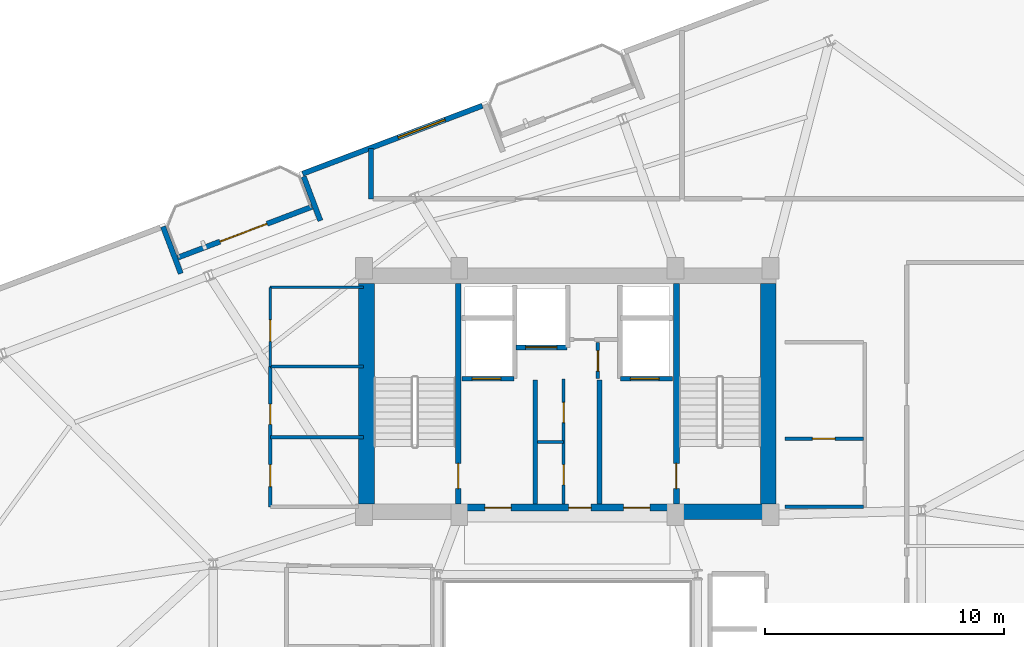
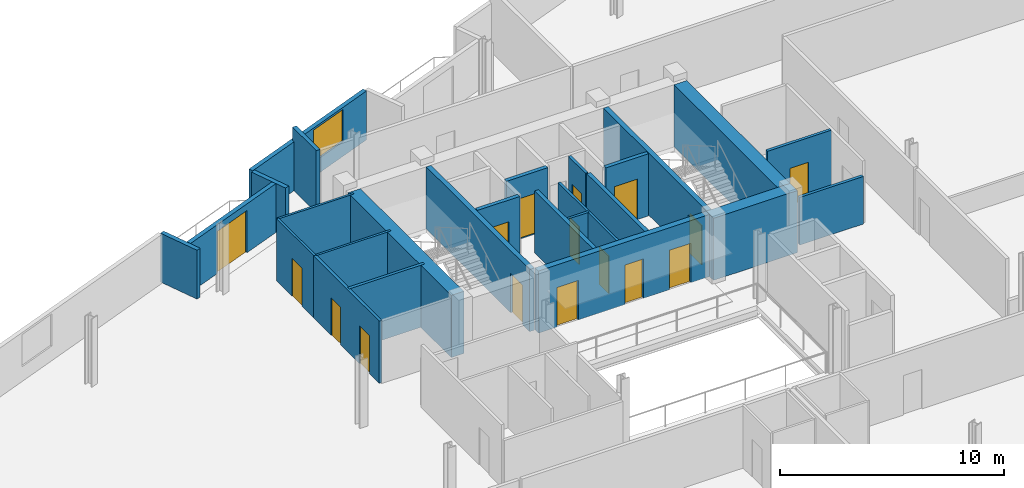
# One storey, part 16 of 19: 26 walls, 16 doors, 1 window, 17 openings.
"""IFC4 building model written with IfcOpenShell, lengths in metres."""

from ifc_helpers import new_model, si_unit, direction, frame, frame_2d, origin, place, context, subcontext, project, spatial, rectangle, extrude, material, layer, layer_set, type_object, element, fill, save


model = new_model("IFC4")

# Units and contexts
model_context = context("Model", 3, precision=1e-05, world=origin(), true_north=direction((0.0, 1.0)))
body_context = subcontext(model_context, "Body", "Model", "MODEL_VIEW")
ifc_project = project(units=[si_unit("LENGTHUNIT", "METRE"), si_unit("AREAUNIT", "SQUARE_METRE"), si_unit("VOLUMEUNIT", "CUBIC_METRE"), si_unit("PLANEANGLEUNIT", "RADIAN"), si_unit("MASSUNIT", "GRAM", prefix="KILO")], contexts=[model_context])

# Site, building, storey
site_placement = place(None, origin())
site = spatial("IfcSite", under=ifc_project, at=site_placement, CompositionType="ELEMENT")
building_placement = place(site_placement, origin())
building = spatial("IfcBuilding", under=site, at=building_placement, Name="Varnelok Gate Tower", CompositionType="ELEMENT")
storey_placement = place(building_placement, frame((0.0, 0.0, 249.699951171875)))
storey = spatial("IfcBuildingStorey", under=building, at=storey_placement, Name="L64", CompositionType="ELEMENT", Elevation=249.699951171875)

# Wall, opening, door
ifc_material_1 = material(Name="Concrete C45/55", Category="concrete")
ifc_layer_1 = layer(ifc_material_1, 0.219970703125)
ifc_layer_set_1 = layer_set([ifc_layer_1], Name="Concrete C45/55")
wall_type_1 = type_object("IfcWallType", Name="EW-BALC-220", PredefinedType="SOLIDWALL", material=ifc_layer_set_1)
wall_1_placement = place(storey_placement, frame((22.915771484375, 39.50439453125, 0.0), z_axis=(0.0, 0.0, 1.0), x_axis=(0.93521416643, 0.354082565101, 0.0)))
wall_1 = element("IfcWall", 1, at=wall_1_placement, inside=storey, type_object=wall_type_1, Name="L64 North Terrace Envelope Wall 3", PredefinedType="SOLIDWALL", context=body_context, shape_type="SweptSolid", body=[
    extrude(rectangle(XDim=6.0, YDim=0.219970703125, at=frame_2d((3.0, 0.0))), origin(), (0.0, 0.0, 1.0), 2.66015625),
])
opening_1_placement = place(wall_1_placement, frame((1.887939453125, 0.0, 0.0)))
opening_1 = element("IfcOpeningElement", 2, at=opening_1_placement, cuts=wall_1, Name="Opening BD-2", PredefinedType="OPENING", context=body_context, shape_type="SweptSolid", body=[
    extrude(rectangle(XDim=2.10009765625, YDim=2.300048828125, at=frame_2d((1.050048828125, 1.14990234375))), frame((0.0, 0.119873046875, 0.0), z_axis=(0.0, -1.0, 0.0), x_axis=(1.0, 0.0, 0.0)), (0.0, 0.0, 1.0), 0.239990234375),
])
ifc_material_2 = material(Name="Anodized Aluminum Alloy 6063-T6", Category="aluminium")
door_type_1 = type_object("IfcDoorType", Name="DR-EXT-SLID2100", OperationType="SLIDING_TO_LEFT", PredefinedType="DOOR", material=ifc_material_2)
door_1_placement = place(opening_1_placement, origin())
door_1 = element("IfcDoor", 3, at=door_1_placement, inside=storey, type_object=door_type_1, Name="L64 North Balcony Glazed Door 3", OperationType="SLIDING_TO_LEFT", OverallHeight=2.300048828125, OverallWidth=2.10009765625, PredefinedType="DOOR", context=body_context, shape_type="SweptSolid", body=[
    extrude(rectangle(XDim=2.10009765625, YDim=2.300048828125, at=frame_2d((1.050048828125, 1.14990234375))), frame((0.0, 0.02490234375, 0.0), z_axis=(0.0, -1.0, 0.0), x_axis=(1.0, 0.0, 0.0)), (0.0, 0.0, 1.0), 0.050048828125),
])
fill(opening_1, door_1)

# Wall, opening, window
wall_2_placement = place(storey_placement, frame((35.647705078125, 45.853515625, 0.0), z_axis=(0.0, 0.0, 1.0), x_axis=(-0.935230796934, -0.354038636968, 0.0)))
wall_2 = element("IfcWall", 4, at=wall_2_placement, inside=storey, type_object=wall_type_1, Name="L64 Perimeter Facade Closure Wall 29", PredefinedType="SOLIDWALL", context=body_context, shape_type="SweptSolid", body=[
    extrude(rectangle(XDim=8.03515625, YDim=0.219970703125, at=frame_2d((4.017578125, 0.0))), origin(), (0.0, 0.0, 1.0), 2.66015625),
])
opening_2_placement = place(wall_2_placement, frame((1.661865234375, 0.0, 0.800048828125)))
opening_2 = element("IfcOpeningElement", 5, at=opening_2_placement, cuts=wall_2, Name="Opening WN4", PredefinedType="OPENING", context=body_context, shape_type="SweptSolid", body=[
    extrude(rectangle(XDim=2.10009765625, YDim=1.75, at=frame_2d((1.050048828125, 0.875))), frame((0.0, 0.119873046875, 0.0), z_axis=(0.0, -1.0, 0.0), x_axis=(1.0, 0.0, 0.0)), (0.0, 0.0, 1.0), 0.239990234375),
])
ifc_material_3 = material(Name="Low-E Laminated Double Glazing IGU", Category="glass")
window_type = type_object("IfcWindowType", Name="WN-SUI-2100", PartitioningType="SINGLE_PANEL", PredefinedType="WINDOW", material=ifc_material_3)
window_placement = place(opening_2_placement, origin())
window = element("IfcWindow", 6, at=window_placement, inside=storey, type_object=window_type, Name="L64 Perimeter Vision Window 29", OverallHeight=1.75, OverallWidth=2.10009765625, PartitioningType="SINGLE_PANEL", PredefinedType="WINDOW", context=body_context, shape_type="SweptSolid", body=[
    extrude(rectangle(XDim=2.10009765625, YDim=1.75, at=frame_2d((1.050048828125, 0.875))), frame((0.0, 0.030029296875, 0.0), z_axis=(0.0, -1.0, 0.0), x_axis=(1.0, 0.0, 0.0)), (0.0, 0.0, 1.0), 0.06005859375),
])
fill(opening_2, window)

# Walls
wall_3_placement = place(storey_placement, frame((28.177490234375, 42.891845703125, 0.0), z_axis=(0.0, 0.0, 1.0), x_axis=(0.354061611705, -0.935222099352, 0.0)))
element("IfcWall", 7, at=wall_3_placement, inside=storey, type_object=wall_type_1, Name="L64 Perimeter Facade Closure Wall 30", PredefinedType="SOLIDWALL", context=body_context, shape_type="SweptSolid", body=[
    extrude(rectangle(XDim=1.974853515625, YDim=0.219970703125, at=frame_2d((0.9873046875, 0.0))), origin(), (0.0, 0.0, 1.0), 2.66015625),
])
wall_4_placement = place(storey_placement, frame((23.041015625, 38.83544921875, 0.0), z_axis=(0.0, 0.0, 1.0), x_axis=(-0.354128469405, 0.935196785258, 0.0)))
element("IfcWall", 8, at=wall_4_placement, inside=storey, type_object=wall_type_1, Name="L64 Perimeter Facade Closure Wall 31", PredefinedType="SOLIDWALL", context=body_context, shape_type="SweptSolid", body=[
    extrude(rectangle(XDim=2.099853515625, YDim=0.219970703125, at=frame_2d((1.0498046875, 0.0))), origin(), (0.0, 0.0, 1.0), 2.66015625),
])
ifc_material_4 = material(Name="Gypsum Plasterboard Acoustic Partition", Category="gypsum")
ifc_layer_2 = layer(ifc_material_4, 0.114990234375)
ifc_layer_set_2 = layer_set([ifc_layer_2], Name="Gypsum Plasterboard Acoustic Partition")
wall_type_2 = type_object("IfcWallType", Name="PW-ENS-125", PredefinedType="PARTITIONING", material=ifc_layer_set_2)
wall_5_placement = place(storey_placement, frame((26.800048828125, 34.949951171875, 0.0), z_axis=(0.0, 0.0, 1.0), x_axis=(1.0, 0.0, 0.0)))
element("IfcWall", 9, at=wall_5_placement, inside=storey, type_object=wall_type_2, Name="Interior Partition", PredefinedType="PARTITIONING", context=body_context, shape_type="SweptSolid", body=[
    extrude(rectangle(XDim=3.8798828125, YDim=0.114990234375, at=frame_2d((1.93994140625, 0.0))), origin(), (0.0, 0.0, 1.0), 3.380126953125),
])
wall_6_placement = place(storey_placement, frame((26.780029296875, 38.260009765625, 0.0), z_axis=(0.0, 0.0, 1.0), x_axis=(1.0, 0.0, 0.0)))
element("IfcWall", 10, at=wall_6_placement, inside=storey, type_object=wall_type_2, Name="Interior Partition", PredefinedType="PARTITIONING", context=body_context, shape_type="SweptSolid", body=[
    extrude(rectangle(XDim=3.89990234375, YDim=0.114990234375, at=frame_2d((1.949951171875, 0.0))), origin(), (0.0, 0.0, 1.0), 3.380126953125),
])

# Wall, opening, door
wall_7_placement = place(storey_placement, frame((26.780029296875, 34.949951171875, 0.0), z_axis=(0.0, 0.0, 1.0), x_axis=(0.0, 1.0, 0.0)))
wall_7 = element("IfcWall", 11, at=wall_7_placement, inside=storey, type_object=wall_type_2, Name="Interior Partition", PredefinedType="PARTITIONING", context=body_context, shape_type="SweptSolid", body=[
    extrude(rectangle(XDim=3.31005859375, YDim=0.114990234375, at=frame_2d((1.655029296875, 0.0))), origin(), (0.0, 0.0, 1.0), 3.380126953125),
])
opening_3_placement = place(wall_7_placement, frame((1.050048828125, 0.0, 0.0)))
opening_3 = element("IfcOpeningElement", 12, at=opening_3_placement, cuts=wall_7, Name="Opening D-WC", PredefinedType="OPENING", context=body_context, shape_type="SweptSolid", body=[
    extrude(rectangle(XDim=0.89990234375, YDim=2.050048828125, at=frame_2d((0.449951171875, 1.02490234375))), frame((0.0, 0.0673828125, 0.0), z_axis=(0.0, -1.0, 0.0), x_axis=(1.0, 0.0, 0.0)), (0.0, 0.0, 1.0), 0.135009765625),
])
ifc_material_5 = material(Name="Engineered Hardwood Timber", Category="wood")
door_type_2 = type_object("IfcDoorType", Name="DR-BATH-900", OperationType="NOTDEFINED", PredefinedType="DOOR", material=ifc_material_5)
door_2_placement = place(opening_3_placement, origin())
door_2 = element("IfcDoor", 13, at=door_2_placement, inside=storey, type_object=door_type_2, Name="L64 Core Staff WC Door", OperationType="SINGLE_SWING_LEFT", OverallHeight=2.050048828125, OverallWidth=0.89990234375, PredefinedType="DOOR", context=body_context, shape_type="SweptSolid", body=[
    extrude(rectangle(XDim=0.89990234375, YDim=2.050048828125, at=frame_2d((0.449951171875, 1.02490234375))), frame((0.0, 0.02490234375, 0.0), z_axis=(0.0, -1.0, 0.0), x_axis=(1.0, 0.0, 0.0)), (0.0, 0.0, 1.0), 0.050048828125),
])
fill(opening_3, door_2)

# Wall
ifc_layer_3 = layer(ifc_material_4, 0.125)
ifc_layer_set_3 = layer_set([ifc_layer_3], Name="Gypsum Plasterboard Acoustic Partition")
wall_type_3 = type_object("IfcWallType", Name="PW-PART-125", PredefinedType="PARTITIONING", material=ifc_layer_set_3)
wall_8_placement = place(storey_placement, frame((37.9599609375, 31.800048828125, 0.0), z_axis=(0.0, 0.0, 1.0), x_axis=(1.0, 0.0, 0.0)))
element("IfcWall", 14, at=wall_8_placement, inside=storey, type_object=wall_type_3, Name="Interior Partition", PredefinedType="PARTITIONING", context=body_context, shape_type="SweptSolid", body=[
    extrude(rectangle(XDim=1.090087890625, YDim=0.125, at=frame_2d((0.544921875, 0.0))), origin(), (0.0, 0.0, 1.0), 3.380126953125),
])

# Wall, openings, doors
wall_9_placement = place(storey_placement, frame((39.050048828125, 29.199951171875, 0.0), z_axis=(0.0, 0.0, 1.0), x_axis=(0.0, 1.0, 0.0)))
wall_9 = element("IfcWall", 15, at=wall_9_placement, inside=storey, type_object=wall_type_3, Name="Interior Partition", PredefinedType="PARTITIONING", context=body_context, shape_type="SweptSolid", body=[
    extrude(rectangle(XDim=5.219970703125, YDim=0.125, at=frame_2d((2.60986328125, 0.0))), origin(), (0.0, 0.0, 1.0), 3.380126953125),
])
opening_4_placement = place(wall_9_placement, frame((0.800048828125, 0.0, 0.0)))
opening_4 = element("IfcOpeningElement", 16, at=opening_4_placement, cuts=wall_9, Name="Opening D-RS", PredefinedType="OPENING", context=body_context, shape_type="SweptSolid", body=[
    extrude(rectangle(XDim=0.85009765625, YDim=2.050048828125, at=frame_2d((0.425048828125, 1.02490234375))), frame((0.0, 0.072509765625, 0.0), z_axis=(0.0, -1.0, 0.0), x_axis=(1.0, 0.0, 0.0)), (0.0, 0.0, 1.0), 0.14501953125),
])
opening_5_placement = place(wall_9_placement, frame((3.39990234375, 0.0, 0.0)))
opening_5 = element("IfcOpeningElement", 17, at=opening_5_placement, cuts=wall_9, Name="Opening D-RS", PredefinedType="OPENING", context=body_context, shape_type="SweptSolid", body=[
    extrude(rectangle(XDim=0.85009765625, YDim=2.050048828125, at=frame_2d((0.425048828125, 1.02490234375))), frame((0.0, 0.072509765625, 0.0), z_axis=(0.0, -1.0, 0.0), x_axis=(1.0, 0.0, 0.0)), (0.0, 0.0, 1.0), 0.14501953125),
])
ifc_material_6 = material(Name="Galvanized Steel Grade S350GD", Category="steel")
door_type_3 = type_object("IfcDoorType", Name="DR-RISER-850", OperationType="NOTDEFINED", PredefinedType="DOOR", material=ifc_material_6)
door_3_placement = place(opening_4_placement, origin())
door_3 = element("IfcDoor", 18, at=door_3_placement, inside=storey, type_object=door_type_3, Name="L64 Housekeeping Linen Door", OperationType="SINGLE_SWING_LEFT", OverallHeight=2.050048828125, OverallWidth=0.85009765625, PredefinedType="DOOR", context=body_context, shape_type="SweptSolid", body=[
    extrude(rectangle(XDim=0.85009765625, YDim=2.050048828125, at=frame_2d((0.425048828125, 1.02490234375))), frame((0.0, 0.02490234375, 0.0), z_axis=(0.0, -1.0, 0.0), x_axis=(1.0, 0.0, 0.0)), (0.0, 0.0, 1.0), 0.050048828125),
])
fill(opening_4, door_3)
door_4_placement = place(opening_5_placement, origin())
door_4 = element("IfcDoor", 19, at=door_4_placement, inside=storey, type_object=door_type_3, Name="L64 Janitor Sink Door", OperationType="SINGLE_SWING_RIGHT", OverallHeight=2.050048828125, OverallWidth=0.85009765625, PredefinedType="DOOR", context=body_context, shape_type="SweptSolid", body=[
    extrude(rectangle(XDim=0.85009765625, YDim=2.050048828125, at=frame_2d((0.425048828125, 1.02490234375))), frame((0.0, 0.02490234375, 0.0), z_axis=(0.0, -1.0, 0.0), x_axis=(1.0, 0.0, 0.0)), (0.0, 0.0, 1.0), 0.050048828125),
])
fill(opening_5, door_4)

# Wall, opening, door
ifc_layer_4 = layer(ifc_material_4, 0.14990234375)
ifc_layer_set_4 = layer_set([ifc_layer_4], Name="Gypsum Plasterboard Acoustic Partition")
wall_type_4 = type_object("IfcWallType", Name="PW-PART-150", PredefinedType="PARTITIONING", material=ifc_layer_set_4)
wall_10_placement = place(storey_placement, frame((40.47998046875, 34.43994140625, 0.0), z_axis=(0.0, 0.0, 1.0), x_axis=(0.0, 1.0, 0.0)))
wall_10 = element("IfcWall", 20, at=wall_10_placement, inside=storey, type_object=wall_type_4, Name="L64 Telecoms Closet West Wall", PredefinedType="PARTITIONING", context=body_context, shape_type="SweptSolid", body=[
    extrude(rectangle(XDim=1.52001953125, YDim=0.14990234375, at=frame_2d((0.760009765625, 0.0))), origin(), (0.0, 0.0, 1.0), 3.380126953125),
])
opening_6_placement = place(wall_10_placement, frame((0.320068359375, 0.0, 0.0)))
opening_6 = element("IfcOpeningElement", 21, at=opening_6_placement, cuts=wall_10, Name="Opening D-RS", PredefinedType="OPENING", context=body_context, shape_type="SweptSolid", body=[
    extrude(rectangle(XDim=0.85009765625, YDim=2.050048828125, at=frame_2d((0.425048828125, 1.02490234375))), frame((0.0, 0.0849609375, 0.0), z_axis=(0.0, -1.0, 0.0), x_axis=(1.0, 0.0, 0.0)), (0.0, 0.0, 1.0), 0.169921875),
])
door_5_placement = place(opening_6_placement, origin())
door_5 = element("IfcDoor", 22, at=door_5_placement, inside=storey, type_object=door_type_3, Name="L64 Telecoms Closet Door", OperationType="SINGLE_SWING_LEFT", OverallHeight=2.050048828125, OverallWidth=0.85009765625, PredefinedType="DOOR", context=body_context, shape_type="SweptSolid", body=[
    extrude(rectangle(XDim=0.85009765625, YDim=2.050048828125, at=frame_2d((0.425048828125, 1.02490234375))), frame((0.0, 0.02490234375, 0.0), z_axis=(0.0, -1.0, 0.0), x_axis=(1.0, 0.0, 0.0)), (0.0, 0.0, 1.0), 0.050048828125),
])
fill(opening_6, door_5)

# Wall
wall_11_placement = place(storey_placement, frame((26.800048828125, 31.989990234375, 0.0), z_axis=(0.0, 0.0, 1.0), x_axis=(1.0, 0.0, 0.0)))
element("IfcWall", 23, at=wall_11_placement, inside=storey, type_object=wall_type_4, Name="Interior Partition", PredefinedType="PARTITIONING", context=body_context, shape_type="SweptSolid", body=[
    extrude(rectangle(XDim=3.8798828125, YDim=0.14990234375, at=frame_2d((1.93994140625, 0.0))), origin(), (0.0, 0.0, 1.0), 3.380126953125),
])

# Wall, openings, doors
wall_12_placement = place(storey_placement, frame((26.780029296875, 29.080078125, 0.0), z_axis=(0.0, 0.0, 1.0), x_axis=(0.0, 1.0, 0.0)))
wall_12 = element("IfcWall", 24, at=wall_12_placement, inside=storey, type_object=wall_type_4, Name="Interior Partition", PredefinedType="PARTITIONING", context=body_context, shape_type="SweptSolid", body=[
    extrude(rectangle(XDim=5.869873046875, YDim=0.14990234375, at=frame_2d((2.93505859375, 0.0))), origin(), (0.0, 0.0, 1.0), 3.380126953125),
])
opening_7_placement = place(wall_12_placement, frame((0.85009765625, 0.0, 0.0)))
opening_7 = element("IfcOpeningElement", 25, at=opening_7_placement, cuts=wall_12, Name="Opening D-I3", PredefinedType="OPENING", context=body_context, shape_type="SweptSolid", body=[
    extrude(rectangle(XDim=0.919921875, YDim=2.050048828125, at=frame_2d((0.4599609375, 1.02490234375))), frame((0.0, 0.0849609375, 0.0), z_axis=(0.0, -1.0, 0.0), x_axis=(1.0, 0.0, 0.0)), (0.0, 0.0, 1.0), 0.169921875),
])
opening_8_placement = place(wall_12_placement, frame((3.449951171875, 0.0, 0.0)))
opening_8 = element("IfcOpeningElement", 26, at=opening_8_placement, cuts=wall_12, Name="Opening D-RS", PredefinedType="OPENING", context=body_context, shape_type="SweptSolid", body=[
    extrude(rectangle(XDim=0.85009765625, YDim=2.050048828125, at=frame_2d((0.425048828125, 1.02490234375))), frame((0.0, 0.0849609375, 0.0), z_axis=(0.0, -1.0, 0.0), x_axis=(1.0, 0.0, 0.0)), (0.0, 0.0, 1.0), 0.169921875),
])
door_type_4 = type_object("IfcDoorType", Name="DR-INT-920", OperationType="NOTDEFINED", PredefinedType="DOOR", material=ifc_material_5)
door_6_placement = place(opening_7_placement, origin())
door_6 = element("IfcDoor", 27, at=door_6_placement, inside=storey, type_object=door_type_4, Name="L64 Core Linen Door", OperationType="SINGLE_SWING_LEFT", OverallHeight=2.050048828125, OverallWidth=0.919921875, PredefinedType="DOOR", context=body_context, shape_type="SweptSolid", body=[
    extrude(rectangle(XDim=0.919921875, YDim=2.050048828125, at=frame_2d((0.4599609375, 1.02490234375))), frame((0.0, 0.02490234375, 0.0), z_axis=(0.0, -1.0, 0.0), x_axis=(1.0, 0.0, 0.0)), (0.0, 0.0, 1.0), 0.050048828125),
])
fill(opening_7, door_6)
door_7_placement = place(opening_8_placement, origin())
door_7 = element("IfcDoor", 28, at=door_7_placement, inside=storey, type_object=door_type_3, Name="L64 Core Janitor Door", OperationType="SINGLE_SWING_RIGHT", OverallHeight=2.050048828125, OverallWidth=0.85009765625, PredefinedType="DOOR", context=body_context, shape_type="SweptSolid", body=[
    extrude(rectangle(XDim=0.85009765625, YDim=2.050048828125, at=frame_2d((0.425048828125, 1.02490234375))), frame((0.0, 0.02490234375, 0.0), z_axis=(0.0, -1.0, 0.0), x_axis=(1.0, 0.0, 0.0)), (0.0, 0.0, 1.0), 0.050048828125),
])
fill(opening_8, door_7)

# Wall, opening, door
wall_13_placement = place(storey_placement, frame((48.300048828125, 31.929931640625, 0.0), z_axis=(0.0, 0.0, 1.0), x_axis=(1.0, 0.0, 0.0)))
wall_13 = element("IfcWall", 29, at=wall_13_placement, inside=storey, type_object=wall_type_4, Name="Interior Partition", PredefinedType="PARTITIONING", context=body_context, shape_type="SweptSolid", body=[
    extrude(rectangle(XDim=3.280029296875, YDim=0.14990234375, at=frame_2d((1.64013671875, 0.0))), origin(), (0.0, 0.0, 1.0), 3.380126953125),
])
opening_9_placement = place(wall_13_placement, frame((1.14990234375, 0.0, 0.0)))
opening_9 = element("IfcOpeningElement", 30, at=opening_9_placement, cuts=wall_13, Name="Opening D-I2", PredefinedType="OPENING", context=body_context, shape_type="SweptSolid", body=[
    extrude(rectangle(XDim=0.949951171875, YDim=2.050048828125, at=frame_2d((0.47509765625, 1.02490234375))), frame((0.0, 0.0849609375, 0.0), z_axis=(0.0, -1.0, 0.0), x_axis=(1.0, 0.0, 0.0)), (0.0, 0.0, 1.0), 0.169921875),
])
door_type_5 = type_object("IfcDoorType", Name="DR-INT-950", OperationType="NOTDEFINED", PredefinedType="DOOR", material=ifc_material_5)
door_8_placement = place(opening_9_placement, origin())
door_8 = element("IfcDoor", 31, at=door_8_placement, inside=storey, type_object=door_type_5, Name="L64 Reclaimed Trunk Storage Door", OperationType="SINGLE_SWING_LEFT", OverallHeight=2.050048828125, OverallWidth=0.949951171875, PredefinedType="DOOR", context=body_context, shape_type="SweptSolid", body=[
    extrude(rectangle(XDim=0.949951171875, YDim=2.050048828125, at=frame_2d((0.47509765625, 1.02490234375))), frame((0.0, 0.02490234375, 0.0), z_axis=(0.0, -1.0, 0.0), x_axis=(1.0, 0.0, 0.0)), (0.0, 0.0, 1.0), 0.050048828125),
])
fill(opening_9, door_8)

# Walls
wall_14_placement = place(storey_placement, frame((48.300048828125, 29.080078125, 0.0), z_axis=(0.0, 0.0, 1.0), x_axis=(1.0, 0.0, 0.0)))
element("IfcWall", 32, at=wall_14_placement, inside=storey, type_object=wall_type_4, Name="Interior Partition", PredefinedType="PARTITIONING", context=body_context, shape_type="SweptSolid", body=[
    extrude(rectangle(XDim=3.280029296875, YDim=0.14990234375, at=frame_2d((1.64013671875, 0.0))), origin(), (0.0, 0.0, 1.0), 2.592041015625),
])
ifc_layer_5 = layer(ifc_material_4, 0.205078125)
ifc_layer_set_5 = layer_set([ifc_layer_5], Name="Gypsum Plasterboard Acoustic Partition")
wall_type_5 = type_object("IfcWallType", Name="PW-PARTY-200", PredefinedType="PARTITIONING", material=ifc_layer_set_5)
wall_15_placement = place(storey_placement, frame((31.0, 41.9599609375, 0.0), z_axis=(0.0, 0.0, 1.0), x_axis=(0.0, 1.0, 0.0)))
element("IfcWall", 33, at=wall_15_placement, inside=storey, type_object=wall_type_5, Name="L64 North Party Wall 1", PredefinedType="PARTITIONING", context=body_context, shape_type="SweptSolid", body=[
    extrude(rectangle(XDim=2.11279296875, YDim=0.205078125, at=frame_2d((1.056396484375, 0.0))), origin(), (0.0, 0.0, 1.0), 3.380126953125),
])
ifc_material_7 = material(Name="Concrete C35/45", Category="concrete")
ifc_layer_6 = layer(ifc_material_7, 0.199951171875)
ifc_layer_set_6 = layer_set([ifc_layer_6], Name="Concrete C35/45")
wall_type_6 = type_object("IfcWallType", Name="PW-SHAFT-200", PredefinedType="PARTITIONING", material=ifc_layer_set_6)
for number, where, z_axis, x_axis, name in (
    (34, (37.860107421875, 29.199951171875, 0.0), (0.0, 0.0, 1.0), (0.0, 1.0, 0.0), "L64 West FF Lobby Rated Wall"),
    (35, (40.5400390625, 29.199951171875, 0.0), (0.0, 0.0, 1.0), (0.0, 1.0, 0.0), "L64 East FF Lobby Rated Wall"),
):
    element("IfcWall", number, at=place(storey_placement, frame(where, z_axis=z_axis, x_axis=x_axis)), inside=storey, type_object=wall_type_6, Name=name, PredefinedType="PARTITIONING", context=body_context, shape_type="SweptSolid", body=[
        extrude(rectangle(XDim=5.179931640625, YDim=0.199951171875, at=frame_2d((2.58984375, 0.0))), origin(), (0.0, 0.0, 1.0), 3.380126953125),
    ])

# Wall, opening, door
wall_16_placement = place(storey_placement, frame((34.800048828125, 34.43994140625, 0.0), z_axis=(0.0, 0.0, 1.0), x_axis=(1.0, 0.0, 0.0)))
wall_16 = element("IfcWall", 36, at=wall_16_placement, inside=storey, type_object=wall_type_6, Name="L64 FF1 Shaft Front Wall", PredefinedType="PARTITIONING", context=body_context, shape_type="SweptSolid", body=[
    extrude(rectangle(XDim=2.179931640625, YDim=0.199951171875, at=frame_2d((1.08984375, 0.0))), origin(), (0.0, 0.0, 1.0), 3.380126953125),
])
opening_10_placement = place(wall_16_placement, frame((0.419921875, 0.0, 0.0)))
opening_10 = element("IfcOpeningElement", 37, at=opening_10_placement, cuts=wall_16, Name="Opening LD-FF1", PredefinedType="OPENING", context=body_context, shape_type="SweptSolid", body=[
    extrude(rectangle(XDim=1.199951171875, YDim=2.199951171875, at=frame_2d((0.60009765625, 1.10009765625))), frame((0.0, 0.10986328125, 0.0), z_axis=(0.0, -1.0, 0.0), x_axis=(1.0, 0.0, 0.0)), (0.0, 0.0, 1.0), 0.219970703125),
])
door_type_6 = type_object("IfcDoorType", Name="DR-LIFT-FF1200", OperationType="SLIDING_TO_LEFT", PredefinedType="DOOR", material=ifc_material_6)
door_9_placement = place(opening_10_placement, origin())
door_9 = element("IfcDoor", 38, at=door_9_placement, inside=storey, type_object=door_type_6, Name="L64 Firefighting Lift Landing Door LD-FF1", OperationType="SLIDING_TO_LEFT", OverallHeight=2.199951171875, OverallWidth=1.199951171875, PredefinedType="DOOR", context=body_context, shape_type="SweptSolid", body=[
    extrude(rectangle(XDim=1.199951171875, YDim=2.199951171875, at=frame_2d((0.60009765625, 1.10009765625))), frame((0.0, 0.02490234375, 0.0), z_axis=(0.0, -1.0, 0.0), x_axis=(1.0, 0.0, 0.0)), (0.0, 0.0, 1.0), 0.050048828125),
])
fill(opening_10, door_9)

wall_17_placement = place(storey_placement, frame((41.419921875, 34.43994140625, 0.0), z_axis=(0.0, 0.0, 1.0), x_axis=(1.0, 0.0, 0.0)))
wall_17 = element("IfcWall", 39, at=wall_17_placement, inside=storey, type_object=wall_type_6, Name="L64 FF2 Shaft Front Wall", PredefinedType="PARTITIONING", context=body_context, shape_type="SweptSolid", body=[
    extrude(rectangle(XDim=2.18017578125, YDim=0.199951171875, at=frame_2d((1.090087890625, 0.0))), origin(), (0.0, 0.0, 1.0), 3.380126953125),
])
opening_11_placement = place(wall_17_placement, frame((0.419921875, 0.0, 0.0)))
opening_11 = element("IfcOpeningElement", 40, at=opening_11_placement, cuts=wall_17, Name="Opening LD-FF2", PredefinedType="OPENING", context=body_context, shape_type="SweptSolid", body=[
    extrude(rectangle(XDim=1.199951171875, YDim=2.199951171875, at=frame_2d((0.60009765625, 1.10009765625))), frame((0.0, 0.10986328125, 0.0), z_axis=(0.0, -1.0, 0.0), x_axis=(1.0, 0.0, 0.0)), (0.0, 0.0, 1.0), 0.219970703125),
])
door_10_placement = place(opening_11_placement, origin())
door_10 = element("IfcDoor", 41, at=door_10_placement, inside=storey, type_object=door_type_6, Name="L64 Firefighting Lift Landing Door LD-FF2", OperationType="SLIDING_TO_LEFT", OverallHeight=2.199951171875, OverallWidth=1.199951171875, PredefinedType="DOOR", context=body_context, shape_type="SweptSolid", body=[
    extrude(rectangle(XDim=1.199951171875, YDim=2.199951171875, at=frame_2d((0.60009765625, 1.10009765625))), frame((0.0, 0.02490234375, 0.0), z_axis=(0.0, -1.0, 0.0), x_axis=(1.0, 0.0, 0.0)), (0.0, 0.0, 1.0), 0.050048828125),
])
fill(opening_11, door_10)

wall_18_placement = place(storey_placement, frame((37.06005859375, 35.75, 0.0), z_axis=(0.0, 0.0, 1.0), x_axis=(1.0, 0.0, 0.0)))
wall_18 = element("IfcWall", 42, at=wall_18_placement, inside=storey, type_object=wall_type_6, Name="L64 SV1 Shaft Front Wall", PredefinedType="PARTITIONING", context=body_context, shape_type="SweptSolid", body=[
    extrude(rectangle(XDim=2.119873046875, YDim=0.199951171875, at=frame_2d((1.06005859375, 0.0))), origin(), (0.0, 0.0, 1.0), 3.380126953125),
])
opening_12_placement = place(wall_18_placement, frame((0.39990234375, 0.0, 0.0)))
opening_12 = element("IfcOpeningElement", 43, at=opening_12_placement, cuts=wall_18, Name="Opening LD-SV1", PredefinedType="OPENING", context=body_context, shape_type="SweptSolid", body=[
    extrude(rectangle(XDim=1.300048828125, YDim=2.199951171875, at=frame_2d((0.64990234375, 1.10009765625))), frame((0.0, 0.10986328125, 0.0), z_axis=(0.0, -1.0, 0.0), x_axis=(1.0, 0.0, 0.0)), (0.0, 0.0, 1.0), 0.219970703125),
])
door_type_7 = type_object("IfcDoorType", Name="DR-LIFT-SV1300", OperationType="SLIDING_TO_LEFT", PredefinedType="DOOR", material=ifc_material_6)
door_11_placement = place(opening_12_placement, origin())
door_11 = element("IfcDoor", 44, at=door_11_placement, inside=storey, type_object=door_type_7, Name="L64 Service Lift Landing Door LD-SV1", OperationType="SLIDING_TO_LEFT", OverallHeight=2.199951171875, OverallWidth=1.300048828125, PredefinedType="DOOR", context=body_context, shape_type="SweptSolid", body=[
    extrude(rectangle(XDim=1.300048828125, YDim=2.199951171875, at=frame_2d((0.64990234375, 1.10009765625))), frame((0.0, 0.02490234375, 0.0), z_axis=(0.0, -1.0, 0.0), x_axis=(1.0, 0.0, 0.0)), (0.0, 0.0, 1.0), 0.050048828125),
])
fill(opening_12, door_11)

# Walls
ifc_material_8 = material(Name="Concrete C60/75", Category="concrete")
ifc_layer_7 = layer(ifc_material_8, 0.64990234375)
ifc_layer_set_7 = layer_set([ifc_layer_7], Name="Concrete C60/75")
wall_type_7 = type_object("IfcWallType", Name="SW-CORE-650", PredefinedType="SHEAR", material=ifc_layer_set_7)
for number, where, z_axis, x_axis, name in (
    (45, (30.804931640625, 29.199951171875, 0.0), (0.0, 0.0, 1.0), (0.0, 1.0, 0.0), "L64 Rear Core West Shear Wall"),
    (46, (47.594970703125, 29.199951171875, 0.0), (0.0, 0.0, 1.0), (0.0, 1.0, 0.0), "L64 Rear Core East Shear Wall"),
):
    element("IfcWall", number, at=place(storey_placement, frame(where, z_axis=z_axis, x_axis=x_axis)), inside=storey, type_object=wall_type_7, Name=name, PredefinedType="SHEAR", context=body_context, shape_type="SweptSolid", body=[
        extrude(rectangle(XDim=9.219970703125, YDim=0.64990234375, at=frame_2d((4.60986328125, 0.0))), origin(), (0.0, 0.0, 1.0), 3.380126953125),
    ])
wall_19_placement = place(storey_placement, frame((43.60009765625, 28.875, 0.0), z_axis=(0.0, 0.0, 1.0), x_axis=(1.0, 0.0, 0.0)))
element("IfcWall", 47, at=wall_19_placement, inside=storey, type_object=wall_type_7, Name="L64 Rear Core South-East Shear Wall", PredefinedType="SHEAR", context=body_context, shape_type="SweptSolid", body=[
    extrude(rectangle(XDim=4.31982421875, YDim=0.64990234375, at=frame_2d((2.159912109375, 0.0))), origin(), (0.0, 0.0, 1.0), 3.380126953125),
])

# Wall, opening, door
ifc_layer_8 = layer(ifc_material_8, 0.25)
ifc_layer_set_8 = layer_set([ifc_layer_8], Name="Concrete C60/75")
wall_type_8 = type_object("IfcWallType", Name="SW-SHAFT-250", PredefinedType="SHEAR", material=ifc_layer_set_8)
wall_20_placement = place(storey_placement, frame((34.639892578125, 29.199951171875, 0.0), z_axis=(0.0, 0.0, 1.0), x_axis=(0.0, 1.0, 0.0)))
wall_20 = element("IfcWall", 48, at=wall_20_placement, inside=storey, type_object=wall_type_8, Name="L64 Stair ST-1 East Shear Wall", PredefinedType="SHEAR", context=body_context, shape_type="SweptSolid", body=[
    extrude(rectangle(XDim=9.219970703125, YDim=0.25, at=frame_2d((4.60986328125, 0.0))), origin(), (0.0, 0.0, 1.0), 3.380126953125),
])
opening_13_placement = place(wall_20_placement, frame((0.64990234375, 0.0, 0.0)))
opening_13 = element("IfcOpeningElement", 49, at=opening_13_placement, cuts=wall_20, Name="Opening D-ST", PredefinedType="OPENING", context=body_context, shape_type="SweptSolid", body=[
    extrude(rectangle(XDim=1.050048828125, YDim=2.14990234375, at=frame_2d((0.52490234375, 1.074951171875))), frame((0.0, 0.135009765625, 0.0), z_axis=(0.0, -1.0, 0.0), x_axis=(1.0, 0.0, 0.0)), (0.0, 0.0, 1.0), 0.27001953125),
])
door_type_8 = type_object("IfcDoorType", Name="DR-STAIR-1050", OperationType="NOTDEFINED", PredefinedType="DOOR", material=ifc_material_6)
door_12_placement = place(opening_13_placement, origin())
door_12 = element("IfcDoor", 50, at=door_12_placement, inside=storey, type_object=door_type_8, Name="L64 Exit Stair ST-1 Fire Door", OperationType="SINGLE_SWING_LEFT", OverallHeight=2.14990234375, OverallWidth=1.050048828125, PredefinedType="DOOR", context=body_context, shape_type="SweptSolid", body=[
    extrude(rectangle(XDim=1.050048828125, YDim=2.14990234375, at=frame_2d((0.52490234375, 1.074951171875))), frame((0.0, 0.02490234375, 0.0), z_axis=(0.0, -1.0, 0.0), x_axis=(1.0, 0.0, 0.0)), (0.0, 0.0, 1.0), 0.050048828125),
])
fill(opening_13, door_12)

wall_21_placement = place(storey_placement, frame((43.760009765625, 29.199951171875, 0.0), z_axis=(0.0, 0.0, 1.0), x_axis=(0.0, 1.0, 0.0)))
wall_21 = element("IfcWall", 51, at=wall_21_placement, inside=storey, type_object=wall_type_8, Name="L64 Stair ST-2 West Shear Wall", PredefinedType="SHEAR", context=body_context, shape_type="SweptSolid", body=[
    extrude(rectangle(XDim=9.219970703125, YDim=0.25, at=frame_2d((4.60986328125, 0.0))), origin(), (0.0, 0.0, 1.0), 3.380126953125),
])
opening_14_placement = place(wall_21_placement, frame((0.64990234375, 0.0, 0.0)))
opening_14 = element("IfcOpeningElement", 52, at=opening_14_placement, cuts=wall_21, Name="Opening D-ST", PredefinedType="OPENING", context=body_context, shape_type="SweptSolid", body=[
    extrude(rectangle(XDim=1.050048828125, YDim=2.14990234375, at=frame_2d((0.52490234375, 1.074951171875))), frame((0.0, 0.135009765625, 0.0), z_axis=(0.0, -1.0, 0.0), x_axis=(1.0, 0.0, 0.0)), (0.0, 0.0, 1.0), 0.27001953125),
])
door_13_placement = place(opening_14_placement, origin())
door_13 = element("IfcDoor", 53, at=door_13_placement, inside=storey, type_object=door_type_8, Name="L64 Exit Stair ST-2 Fire Door", OperationType="SINGLE_SWING_RIGHT", OverallHeight=2.14990234375, OverallWidth=1.050048828125, PredefinedType="DOOR", context=body_context, shape_type="SweptSolid", body=[
    extrude(rectangle(XDim=1.050048828125, YDim=2.14990234375, at=frame_2d((0.52490234375, 1.074951171875))), frame((0.0, 0.02490234375, 0.0), z_axis=(0.0, -1.0, 0.0), x_axis=(1.0, 0.0, 0.0)), (0.0, 0.0, 1.0), 0.050048828125),
])
fill(opening_14, door_13)

# Wall, openings, doors
ifc_layer_9 = layer(ifc_material_8, 0.300048828125)
ifc_layer_set_9 = layer_set([ifc_layer_9], Name="Concrete C60/75")
wall_type_9 = type_object("IfcWallType", Name="SW-SHAFT-300", PredefinedType="SHEAR", material=ifc_layer_set_9)
wall_22_placement = place(storey_placement, frame((34.800048828125, 29.050048828125, 0.0), z_axis=(0.0, 0.0, 1.0), x_axis=(1.0, 0.0, 0.0)))
wall_22 = element("IfcWall", 54, at=wall_22_placement, inside=storey, type_object=wall_type_9, Name="L64 Rear Core Central Lobby Shear Wall", PredefinedType="SHEAR", context=body_context, shape_type="SweptSolid", body=[
    extrude(rectangle(XDim=8.800048828125, YDim=0.300048828125, at=frame_2d((4.39990234375, 0.0))), origin(), (0.0, 0.0, 1.0), 3.380126953125),
])
opening_15_placement = place(wall_22_placement, frame((0.949951171875, 0.0, 0.0)))
opening_15 = element("IfcOpeningElement", 55, at=opening_15_placement, cuts=wall_22, Name="Opening D-FF", PredefinedType="OPENING", context=body_context, shape_type="SweptSolid", body=[
    extrude(rectangle(XDim=1.10009765625, YDim=2.14990234375, at=frame_2d((0.550048828125, 1.074951171875))), frame((0.0, 0.159912109375, 0.0), z_axis=(0.0, -1.0, 0.0), x_axis=(1.0, 0.0, 0.0)), (0.0, 0.0, 1.0), 0.320068359375),
])
opening_16_placement = place(wall_22_placement, frame((6.75, 0.0, 0.0)))
opening_16 = element("IfcOpeningElement", 56, at=opening_16_placement, cuts=wall_22, Name="Opening D-FF", PredefinedType="OPENING", context=body_context, shape_type="SweptSolid", body=[
    extrude(rectangle(XDim=1.10009765625, YDim=2.14990234375, at=frame_2d((0.550048828125, 1.074951171875))), frame((0.0, 0.159912109375, 0.0), z_axis=(0.0, -1.0, 0.0), x_axis=(1.0, 0.0, 0.0)), (0.0, 0.0, 1.0), 0.320068359375),
])
opening_17_placement = place(wall_22_placement, frame((4.449951171875, 0.0, 0.0)))
opening_17 = element("IfcOpeningElement", 57, at=opening_17_placement, cuts=wall_22, Name="Opening D-CR", PredefinedType="OPENING", context=body_context, shape_type="SweptSolid", body=[
    extrude(rectangle(XDim=0.949951171875, YDim=2.14990234375, at=frame_2d((0.47509765625, 1.074951171875))), frame((0.0, 0.159912109375, 0.0), z_axis=(0.0, -1.0, 0.0), x_axis=(1.0, 0.0, 0.0)), (0.0, 0.0, 1.0), 0.320068359375),
])
door_type_9 = type_object("IfcDoorType", Name="DR-CORR-950", OperationType="NOTDEFINED", PredefinedType="DOOR", material=ifc_material_6)
door_14_placement = place(opening_17_placement, origin())
door_14 = element("IfcDoor", 58, at=door_14_placement, inside=storey, type_object=door_type_9, Name="L64 Core Service Passage Door", OperationType="SINGLE_SWING_LEFT", OverallHeight=2.14990234375, OverallWidth=0.949951171875, PredefinedType="DOOR", context=body_context, shape_type="SweptSolid", body=[
    extrude(rectangle(XDim=0.949951171875, YDim=2.14990234375, at=frame_2d((0.47509765625, 1.074951171875))), frame((0.0, 0.02490234375, 0.0), z_axis=(0.0, -1.0, 0.0), x_axis=(1.0, 0.0, 0.0)), (0.0, 0.0, 1.0), 0.050048828125),
])
fill(opening_17, door_14)
door_type_10 = type_object("IfcDoorType", Name="DR-FFLOB-1100", OperationType="NOTDEFINED", PredefinedType="DOOR", material=ifc_material_6)
door_15_placement = place(opening_15_placement, origin())
door_15 = element("IfcDoor", 59, at=door_15_placement, inside=storey, type_object=door_type_10, Name="L64 West Firefighting Lobby Fire Door", OperationType="SINGLE_SWING_RIGHT", OverallHeight=2.14990234375, OverallWidth=1.10009765625, PredefinedType="DOOR", context=body_context, shape_type="SweptSolid", body=[
    extrude(rectangle(XDim=1.10009765625, YDim=2.14990234375, at=frame_2d((0.550048828125, 1.074951171875))), frame((0.0, 0.02490234375, 0.0), z_axis=(0.0, -1.0, 0.0), x_axis=(1.0, 0.0, 0.0)), (0.0, 0.0, 1.0), 0.050048828125),
])
fill(opening_15, door_15)
door_16_placement = place(opening_16_placement, origin())
door_16 = element("IfcDoor", 60, at=door_16_placement, inside=storey, type_object=door_type_10, Name="L64 East Firefighting Lobby Fire Door", OperationType="SINGLE_SWING_LEFT", OverallHeight=2.14990234375, OverallWidth=1.10009765625, PredefinedType="DOOR", context=body_context, shape_type="SweptSolid", body=[
    extrude(rectangle(XDim=1.10009765625, YDim=2.14990234375, at=frame_2d((0.550048828125, 1.074951171875))), frame((0.0, 0.02490234375, 0.0), z_axis=(0.0, -1.0, 0.0), x_axis=(1.0, 0.0, 0.0)), (0.0, 0.0, 1.0), 0.050048828125),
])
fill(opening_16, door_16)

save(model, "model.ifc")
